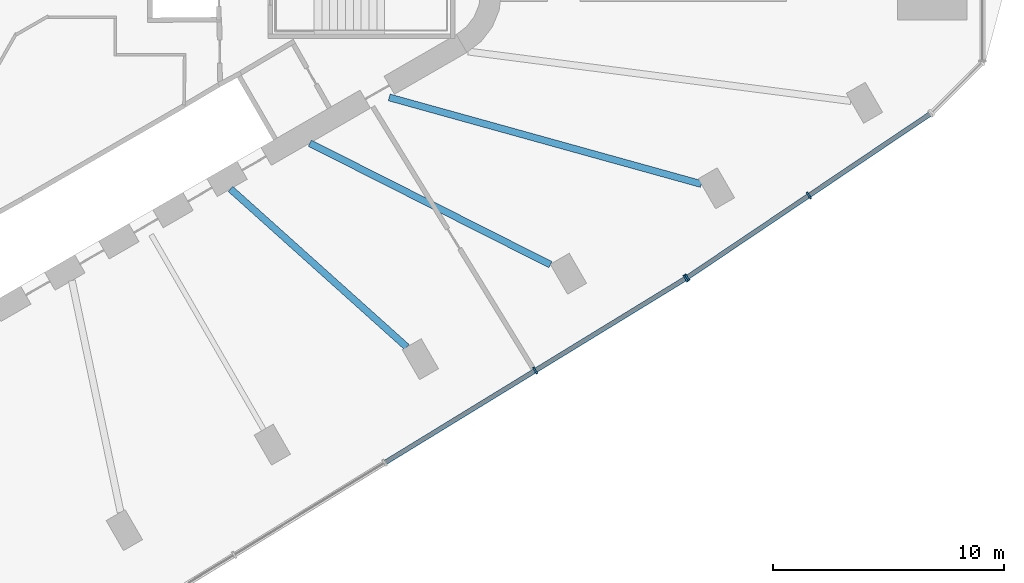
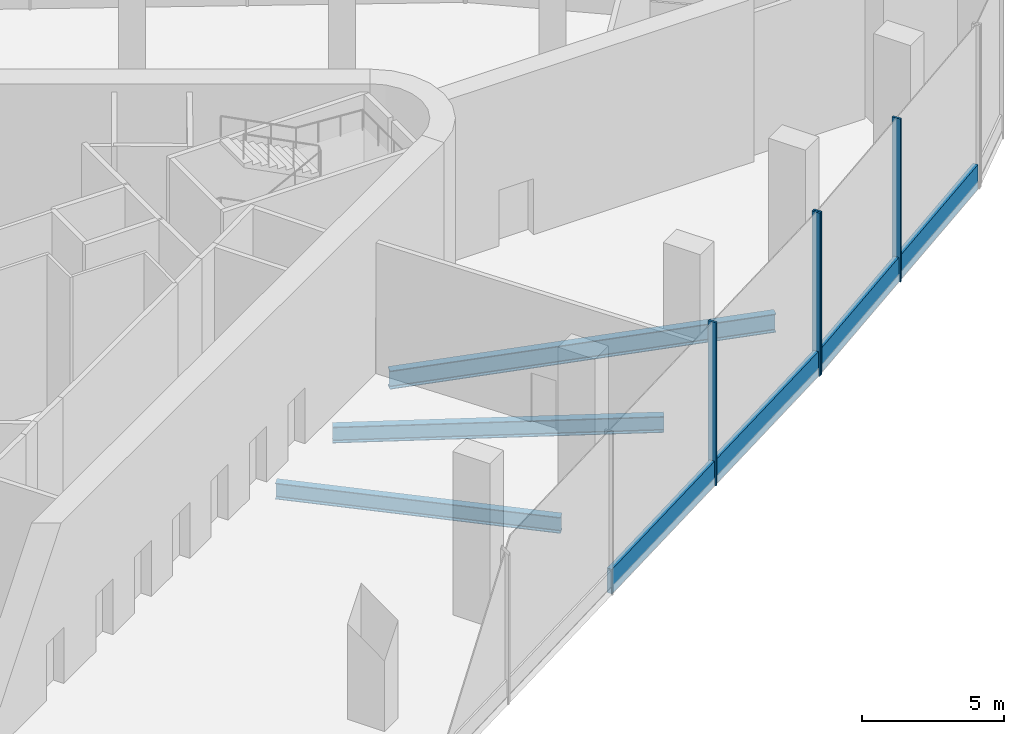
# One storey, part 3 of 15: 8 members, 3 beams, 2 elements without a shape of their own.
"""IFC4 building model written with IfcOpenShell, lengths in metres."""

from ifc_helpers import new_model, si_unit, direction, frame, origin, origin_2d, place, context, subcontext, project, spatial, rectangle, i_section, extrude, material, material_profile, profile_set, type_object, element, aggregate, save


model = new_model("IFC4")

# Units and contexts
model_context = context("Model", 3, precision=1e-05, world=origin(), true_north=direction((0.0, 1.0)))
body_context = subcontext(model_context, "Body", "Model", "MODEL_VIEW")
ifc_project = project(units=[si_unit("LENGTHUNIT", "METRE"), si_unit("AREAUNIT", "SQUARE_METRE"), si_unit("VOLUMEUNIT", "CUBIC_METRE"), si_unit("PLANEANGLEUNIT", "RADIAN"), si_unit("MASSUNIT", "GRAM", prefix="KILO")], contexts=[model_context])

# Site, building, storey
site_placement = place(None, origin())
site = spatial("IfcSite", under=ifc_project, at=site_placement, CompositionType="ELEMENT")
building_placement = place(site_placement, origin())
building = spatial("IfcBuilding", under=site, at=building_placement, Name="Tanit Gate Tower", CompositionType="ELEMENT")
storey_placement = place(building_placement, frame((0.0, 0.0, 156.199951171875)))
storey = spatial("IfcBuildingStorey", under=building, at=storey_placement, Name="L34", CompositionType="ELEMENT", Elevation=156.199951171875)

# Curtain wall, members
ifc_material_1 = material(Name="Aluminium bronze anodised and glass", Category="aluminium")
curtain_wall_type = type_object("IfcCurtainWallType", Name="Curtain wall sky lobby", PredefinedType="NOTDEFINED", material=ifc_material_1)
curtain_wall_1_placement = place(storey_placement, origin())
curtain_wall_1 = element("IfcCurtainWall", 1, at=curtain_wall_1_placement, inside=storey, type_object=curtain_wall_type, Name="Curtain wall L34 SE2", PredefinedType="NOTDEFINED")
ifc_material_2 = material(Name="Aluminium bronze anodised", Category="aluminium")
ifc_material_profile_1 = material_profile(ifc_material_2, rectangle(XDim=0.320068359375, YDim=0.080078125, at=origin_2d()), Name="80x320 bronze mullion")
ifc_profile_set_1 = profile_set([ifc_material_profile_1], Name="Aluminium bronze anodised")
member_type_1 = type_object("IfcMemberType", Name="Mullion 80x320 sky lobby", PredefinedType="MULLION", material=ifc_profile_set_1)
member_1_placement = place(storey_placement, frame((22.656494140625, -16.353271484375, -0.349853515625), z_axis=(0.0, 0.0, 1.0), x_axis=(-0.522282786071, 0.852772356127, 0.0)))
member_1 = element("IfcMember", 2, at=member_1_placement, type_object=member_type_1, Name="Mullion L34 SE2.5", PredefinedType="MULLION", context=body_context, shape_type="SweptSolid", body=[
    extrude(rectangle(XDim=0.320068359375, YDim=0.080078125, at=origin_2d()), origin(), (0.0, 0.0, 1.0), 7.0),
])
member_2_placement = place(storey_placement, frame((29.164794921875, -12.3671875, -0.349853515625), z_axis=(0.0, 0.0, 1.0), x_axis=(-0.522282786071, 0.852772356127, 0.0)))
member_2 = element("IfcMember", 3, at=member_2_placement, type_object=member_type_1, Name="Mullion L34 SE2.6", PredefinedType="MULLION", context=body_context, shape_type="SweptSolid", body=[
    extrude(rectangle(XDim=0.320068359375, YDim=0.080078125, at=origin_2d()), origin(), (0.0, 0.0, 1.0), 7.0),
])

curtain_wall_2_placement = place(storey_placement, origin())
curtain_wall_2 = element("IfcCurtainWall", 4, at=curtain_wall_2_placement, inside=storey, type_object=curtain_wall_type, Name="Curtain wall L34 SE3", PredefinedType="NOTDEFINED")
member_3_placement = place(storey_placement, frame((29.232177734375, -12.323974609375, -0.349853515625), z_axis=(0.0, 0.0, 1.0), x_axis=(-0.558407554309, 0.82956675638, 0.0)))
member_3 = element("IfcMember", 5, at=member_3_placement, type_object=member_type_1, Name="Mullion L34 SE3.1", PredefinedType="MULLION", context=body_context, shape_type="SweptSolid", body=[
    extrude(rectangle(XDim=0.320068359375, YDim=0.080078125, at=origin_2d()), origin(), (0.0, 0.0, 1.0), 7.0),
])
member_4_placement = place(storey_placement, frame((34.492431640625, -8.782958984375, -0.349853515625), z_axis=(0.0, 0.0, 1.0), x_axis=(-0.558407554309, 0.82956675638, 0.0)))
member_4 = element("IfcMember", 6, at=member_4_placement, type_object=member_type_1, Name="Mullion L34 SE3.2", PredefinedType="MULLION", context=body_context, shape_type="SweptSolid", body=[
    extrude(rectangle(XDim=0.320068359375, YDim=0.080078125, at=origin_2d()), origin(), (0.0, 0.0, 1.0), 7.0),
])

# Beams
ifc_material_3 = material(Name="Steel S355", Category="steel")
ifc_material_profile_2 = material_profile(ifc_material_3, i_section(OverallWidth=0.300048828125, OverallDepth=0.68994140625, WebThickness=0.014404296875, FlangeThickness=0.027099609375, FilletRadius=0.027099609375, at=origin_2d()), Name="HEA 700")
ifc_profile_set_2 = profile_set([ifc_material_profile_2], Name="Steel S355")
beam_type_1 = type_object("IfcBeamType", Name="RADIAL GIRDER HEA 700 S355", PredefinedType="BEAM", material=ifc_profile_set_2)
beam_1_placement = place(storey_placement, frame((17.104736328125, -15.33447265625, -0.695068359375), z_axis=(-0.744579249177, 0.667534075307, 0.0), x_axis=(-0.667534075307, -0.744579249177, 0.0)))
element("IfcBeam", 7, at=beam_1_placement, inside=storey, type_object=beam_type_1, Name="RADIAL GIRDER", PredefinedType="BEAM", context=body_context, shape_type="SweptSolid", body=[
    extrude(i_section(OverallWidth=0.300048828125, OverallDepth=0.68994140625, WebThickness=0.014404296875, FlangeThickness=0.027099609375, FilletRadius=0.027099609375, at=origin_2d()), origin(), (0.0, 0.0, 1.0), 10.23828125),
])
beam_2_placement = place(storey_placement, frame((23.3193359375, -11.774658203125, -0.695068359375), z_axis=(-0.892657080142, 0.450736438811, 0.0), x_axis=(-0.450736438811, -0.892657080142, 0.0)))
element("IfcBeam", 8, at=beam_2_placement, inside=storey, type_object=beam_type_1, Name="RADIAL GIRDER", PredefinedType="BEAM", context=body_context, shape_type="SweptSolid", body=[
    extrude(i_section(OverallWidth=0.300048828125, OverallDepth=0.68994140625, WebThickness=0.014404296875, FlangeThickness=0.027099609375, FilletRadius=0.027099609375, at=origin_2d()), origin(), (0.0, 0.0, 1.0), 11.658935546875),
])
ifc_material_4 = material(Name="Steel S355", Category="steel")
ifc_material_profile_3 = material_profile(ifc_material_4, i_section(OverallWidth=0.300048828125, OverallDepth=0.7900390625, WebThickness=0.014892578125, FlangeThickness=0.028076171875, FilletRadius=0.030029296875, at=origin_2d()), Name="HEA 800")
ifc_profile_set_3 = profile_set([ifc_material_profile_3], Name="Steel S355")
beam_type_2 = type_object("IfcBeamType", Name="RADIAL GIRDER HEA 800 S355", PredefinedType="BEAM", material=ifc_profile_set_3)
beam_3_placement = place(storey_placement, frame((29.841552734375, -8.288330078125, -0.744873046875), z_axis=(-0.9635276455, 0.267608812181, 0.0), x_axis=(-0.267608812181, -0.9635276455, 0.0)))
element("IfcBeam", 9, at=beam_3_placement, inside=storey, type_object=beam_type_2, Name="RADIAL GIRDER", PredefinedType="BEAM", context=body_context, shape_type="SweptSolid", body=[
    extrude(i_section(OverallWidth=0.300048828125, OverallDepth=0.7900390625, WebThickness=0.014892578125, FlangeThickness=0.028076171875, FilletRadius=0.030029296875, at=origin_2d()), origin(), (0.0, 0.0, 1.0), 14.01025390625),
])

# Member
ifc_material_5 = material(Name="Aluminium bronze anodised", Category="aluminium")
ifc_material_profile_4 = material_profile(ifc_material_5, rectangle(XDim=0.199951171875, YDim=1.050048828125, at=origin_2d()), Name="200x1050 bronze transom")
ifc_profile_set_4 = profile_set([ifc_material_profile_4], Name="Aluminium bronze anodised")
member_type_2 = type_object("IfcMemberType", Name="Transom 200x1050 sky lobby", PredefinedType="USERDEFINED", material=ifc_profile_set_4)
member_5_placement = place(storey_placement, frame((16.1826171875, -20.318359375, 0.175048828125), z_axis=(0.852761974363, 0.522299736819, 0.0), x_axis=(-0.522299736819, 0.852761974363, 0.0)))
member_5 = element("IfcMember", 10, at=member_5_placement, type_object=member_type_2, Name="Transom L34 SE2.4", ObjectType="TRANSOM", PredefinedType="USERDEFINED", context=body_context, shape_type="SweptSolid", body=[
    extrude(rectangle(XDim=0.199951171875, YDim=1.050048828125, at=origin_2d()), origin(), (0.0, 0.0, 1.0), 7.5517578125),
])

member_6_placement = place(storey_placement, frame((22.690673828125, -16.332275390625, 0.175048828125), z_axis=(0.852776373324, 0.52227622682, 0.0), x_axis=(-0.52227622682, 0.852776373324, 0.0)))
member_6 = element("IfcMember", 11, at=member_6_placement, type_object=member_type_2, Name="Transom L34 SE2.5", ObjectType="TRANSOM", PredefinedType="USERDEFINED", context=body_context, shape_type="SweptSolid", body=[
    extrude(rectangle(XDim=0.199951171875, YDim=1.050048828125, at=origin_2d()), origin(), (0.0, 0.0, 1.0), 7.5517578125),
])

aggregate(curtain_wall_1, [member_1, member_2, member_5, member_6])

member_7_placement = place(storey_placement, frame((29.26513671875, -12.3017578125, 0.175048828125), z_axis=(0.829564474487, 0.55841094426, 0.0), x_axis=(-0.55841094426, 0.829564474487, 0.0)))
member_7 = element("IfcMember", 12, at=member_7_placement, type_object=member_type_2, Name="Transom L34 SE3.1", ObjectType="TRANSOM", PredefinedType="USERDEFINED", context=body_context, shape_type="SweptSolid", body=[
    extrude(rectangle(XDim=0.199951171875, YDim=1.050048828125, at=origin_2d()), origin(), (0.0, 0.0, 1.0), 6.26123046875),
])

member_8_placement = place(storey_placement, frame((34.525634765625, -8.7607421875, 0.175048828125), z_axis=(0.829564474487, 0.55841094426, 0.0), x_axis=(-0.55841094426, 0.829564474487, 0.0)))
member_8 = element("IfcMember", 13, at=member_8_placement, type_object=member_type_2, Name="Transom L34 SE3.2", ObjectType="TRANSOM", PredefinedType="USERDEFINED", context=body_context, shape_type="SweptSolid", body=[
    extrude(rectangle(XDim=0.199951171875, YDim=1.050048828125, at=origin_2d()), origin(), (0.0, 0.0, 1.0), 6.26123046875),
])

aggregate(curtain_wall_2, [member_3, member_4, member_7, member_8])

save(model, "model.ifc")
